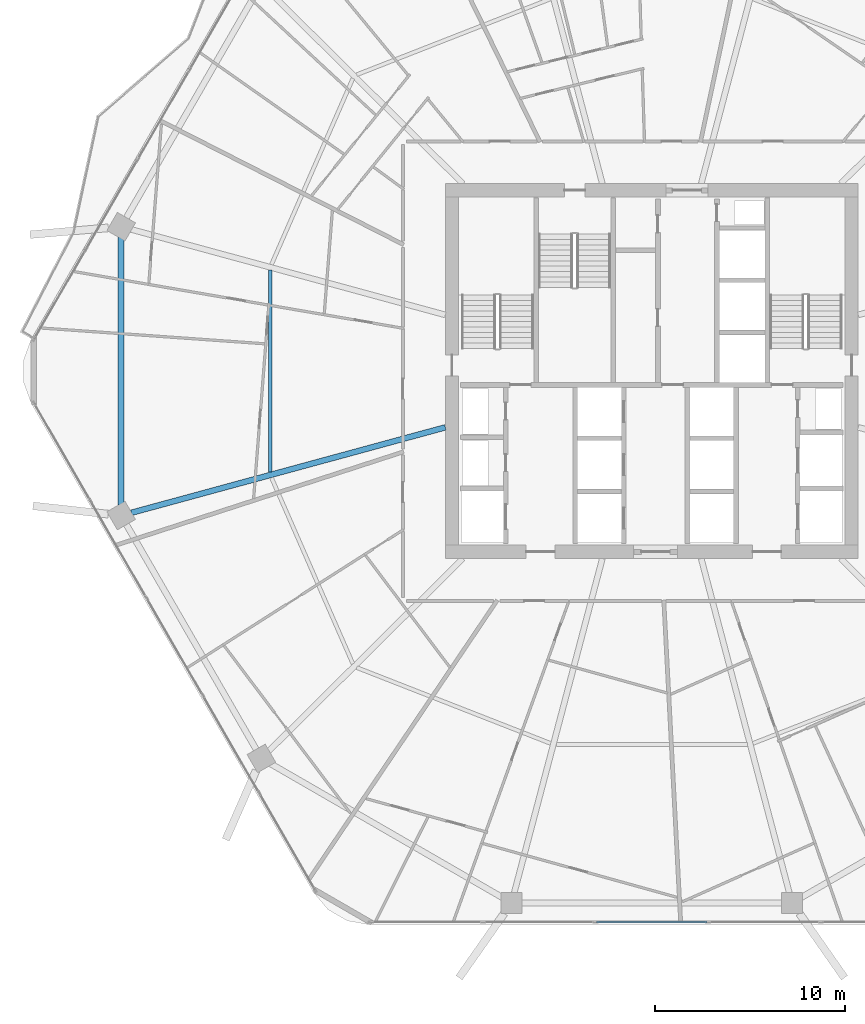
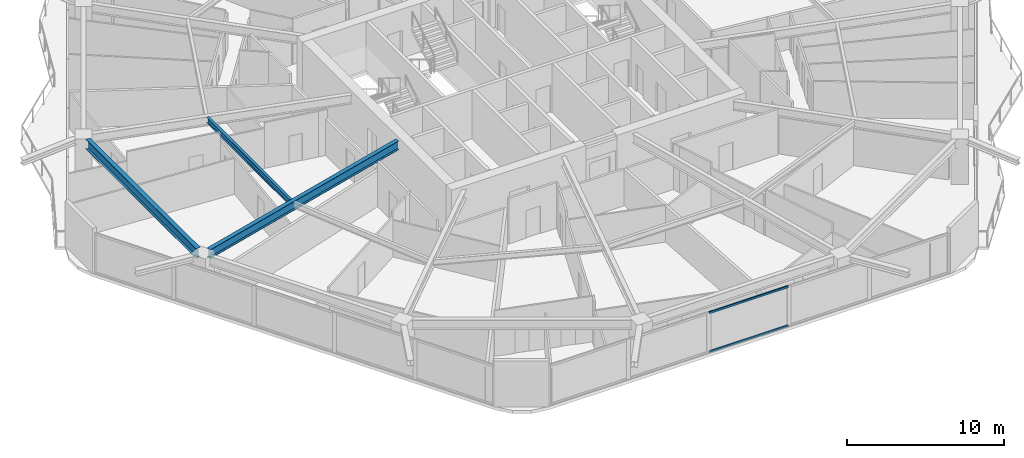
# One storey, part 6 of 32: 3 beams, 2 members, 1 element without a shape of its own.
"""IFC4 building model written with IfcOpenShell, lengths in metres."""

from ifc_helpers import new_model, si_unit, direction, frame, origin, origin_2d, place, context, subcontext, project, spatial, hollow_rectangle, i_section, extrude, material, material_profile, profile_set, type_object, element, aggregate, save


model = new_model("IFC4")

# Units and contexts
model_context = context("Model", 3, precision=1e-05, world=origin(), true_north=direction((0.0, 1.0)))
body_context = subcontext(model_context, "Body", "Model", "MODEL_VIEW")
ifc_project = project(units=[si_unit("LENGTHUNIT", "METRE"), si_unit("AREAUNIT", "SQUARE_METRE"), si_unit("VOLUMEUNIT", "CUBIC_METRE"), si_unit("PLANEANGLEUNIT", "RADIAN"), si_unit("MASSUNIT", "GRAM", prefix="KILO")], contexts=[model_context])

# Site, building, storey
site_placement = place(None, origin())
site = spatial("IfcSite", under=ifc_project, at=site_placement, CompositionType="ELEMENT")
building_placement = place(site_placement, origin())
building = spatial("IfcBuilding", under=site, at=building_placement, Name="Zuhravey Tower", CompositionType="ELEMENT")
storey_placement = place(building_placement, frame((0.0, 0.0, 119.0)))
storey = spatial("IfcBuildingStorey", under=building, at=storey_placement, Name="L29", CompositionType="ELEMENT", Elevation=119.0)

# Curtain wall, members
ifc_material_1 = material(Name="Thermally broken anodised aluminium", Category="aluminium")
curtain_wall_type = type_object("IfcCurtainWallType", Name="Zone 1-2 Residential Curtain Wall CW3", PredefinedType="NOTDEFINED", material=ifc_material_1)
curtain_wall_placement = place(storey_placement, origin())
curtain_wall = element("IfcCurtainWall", 1, at=curtain_wall_placement, inside=storey, type_object=curtain_wall_type, Name="L29 CW3 CW-L29-F5-1", PredefinedType="NOTDEFINED")
ifc_material_2 = material(Name="Anodised aluminium", Category="aluminium")
ifc_material_profile_1 = material_profile(ifc_material_2, hollow_rectangle(XDim=0.090087890625, YDim=0.14990234375, WallThickness=0.0048828125, at=origin_2d()), Name="ALU-RHS-90x150x5")
ifc_profile_set_1 = profile_set([ifc_material_profile_1], Name="Anodised aluminium")
member_type = type_object("IfcMemberType", Name="Curtain-Wall Transom 90x150", PredefinedType="USERDEFINED", material=ifc_profile_set_1)
member_1_placement = place(storey_placement, frame((38.914794921875, 3.04150390625, 0.044921875), z_axis=(-1.0, 0.0, 0.0), x_axis=(0.0, -1.0, 0.0)))
member_1 = element("IfcMember", 2, at=member_1_placement, type_object=member_type, Name="CW3 transom 3.1", ObjectType="TRANSOM", PredefinedType="USERDEFINED", context=body_context, shape_type="SweptSolid", body=[
    extrude(hollow_rectangle(XDim=0.090087890625, YDim=0.14990234375, WallThickness=0.0048828125, at=origin_2d()), origin(), (0.0, 0.0, 1.0), 5.82958984375),
])
member_2_placement = place(storey_placement, frame((38.914794921875, 3.04150390625, 3.076904296875), z_axis=(-1.0, 0.0, 0.0), x_axis=(0.0, -1.0, 0.0)))
member_2 = element("IfcMember", 3, at=member_2_placement, type_object=member_type, Name="CW3 transom 3.2", ObjectType="TRANSOM", PredefinedType="USERDEFINED", context=body_context, shape_type="SweptSolid", body=[
    extrude(hollow_rectangle(XDim=0.090087890625, YDim=0.14990234375, WallThickness=0.0048828125, at=origin_2d()), origin(), (0.0, 0.0, 1.0), 5.82958984375),
])
aggregate(curtain_wall, [member_1, member_2])

# Beams
ifc_material_3 = material(Name="Steel SM355", Category="steel")
ifc_material_profile_2 = material_profile(ifc_material_3, i_section(OverallWidth=0.320068359375, OverallDepth=0.75, WebThickness=0.013916015625, FlangeThickness=0.02490234375, at=origin_2d()), Name="H-750x320x14x25")
ifc_profile_set_2 = profile_set([ifc_material_profile_2], Name="Steel SM355")
beam_type_1 = type_object("IfcBeamType", Name="Perimeter Ring Beam H750x320", PredefinedType="BEAM", material=ifc_profile_set_2)
beam_1_placement = place(storey_placement, frame((8.11083984375, 39.03857421875, 3.175048828125), z_axis=(0.0, -1.0, 0.0), x_axis=(1.0, 0.0, 0.0)))
element("IfcBeam", 4, at=beam_1_placement, inside=storey, type_object=beam_type_1, Name="L29 PB1 BM-L29-PB-06", PredefinedType="BEAM", context=body_context, shape_type="SweptSolid", body=[
    extrude(i_section(OverallWidth=0.320068359375, OverallDepth=0.75, WebThickness=0.013916015625, FlangeThickness=0.02490234375, at=origin_2d()), origin(), (0.0, 0.0, 1.0), 14.0771484375),
])
ifc_material_profile_3 = material_profile(ifc_material_3, i_section(OverallWidth=0.300048828125, OverallDepth=0.699951171875, WebThickness=0.012939453125, FlangeThickness=0.02392578125, at=origin_2d()), Name="H-700x300x13x24")
ifc_profile_set_3 = profile_set([ifc_material_profile_3], Name="Steel SM355")
beam_type_2 = type_object("IfcBeamType", Name="Radial Primary Girder H700x300", PredefinedType="BEAM", material=ifc_profile_set_3)
beam_2_placement = place(storey_placement, frame((25.14697265625, 29.045654296875, 3.199951171875), z_axis=(-0.964893166225, -0.262642680791, 0.0), x_axis=(0.262642680791, -0.964893166225, 0.0)))
element("IfcBeam", 5, at=beam_2_placement, inside=storey, type_object=beam_type_2, Name="L29 RG1 BM-L29-RAD-07", PredefinedType="BEAM", context=body_context, shape_type="SweptSolid", body=[
    extrude(i_section(OverallWidth=0.300048828125, OverallDepth=0.699951171875, WebThickness=0.012939453125, FlangeThickness=0.02392578125, at=origin_2d()), origin(), (0.0, 0.0, 1.0), 17.102783203125),
])
ifc_material_profile_4 = material_profile(ifc_material_3, i_section(OverallWidth=0.199951171875, OverallDepth=0.449951171875, WebThickness=0.009033203125, FlangeThickness=0.013916015625, at=origin_2d()), Name="H-450x200x9x14")
ifc_profile_set_4 = profile_set([ifc_material_profile_4], Name="Steel SM355")
beam_type_3 = type_object("IfcBeamType", Name="Secondary Floor Joist H450x200", PredefinedType="JOIST", material=ifc_profile_set_4)
beam_3_placement = place(storey_placement, frame((15.947509765625, 37.304443359375, 3.324951171875), z_axis=(0.0, -1.0, 0.0), x_axis=(1.0, 0.0, 0.0)))
element("IfcBeam", 6, at=beam_3_placement, inside=storey, type_object=beam_type_3, Name="L29 SJ1 BM-L29-SJ-06-1", PredefinedType="JOIST", context=body_context, shape_type="SweptSolid", body=[
    extrude(i_section(OverallWidth=0.199951171875, OverallDepth=0.449951171875, WebThickness=0.009033203125, FlangeThickness=0.013916015625, at=origin_2d()), origin(), (0.0, 0.0, 1.0), 10.60888671875),
])

save(model, "model.ifc")
